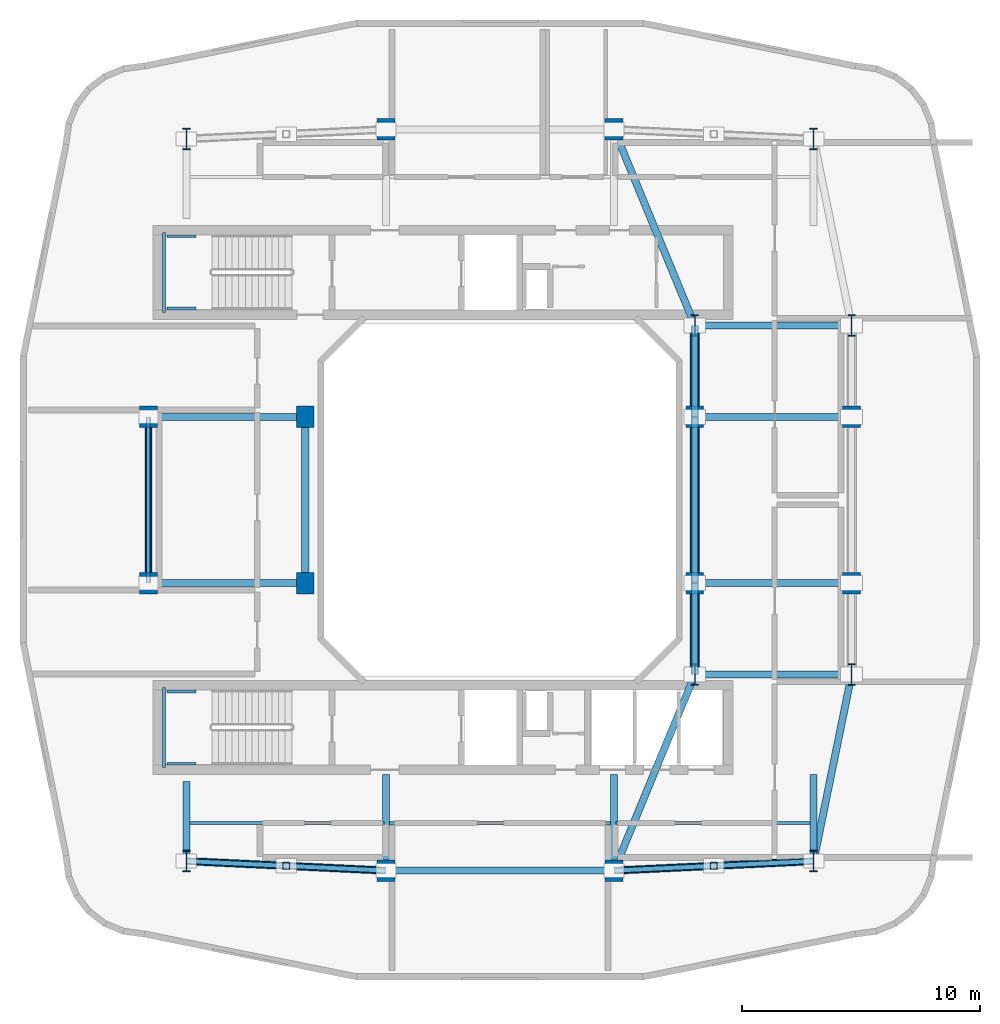
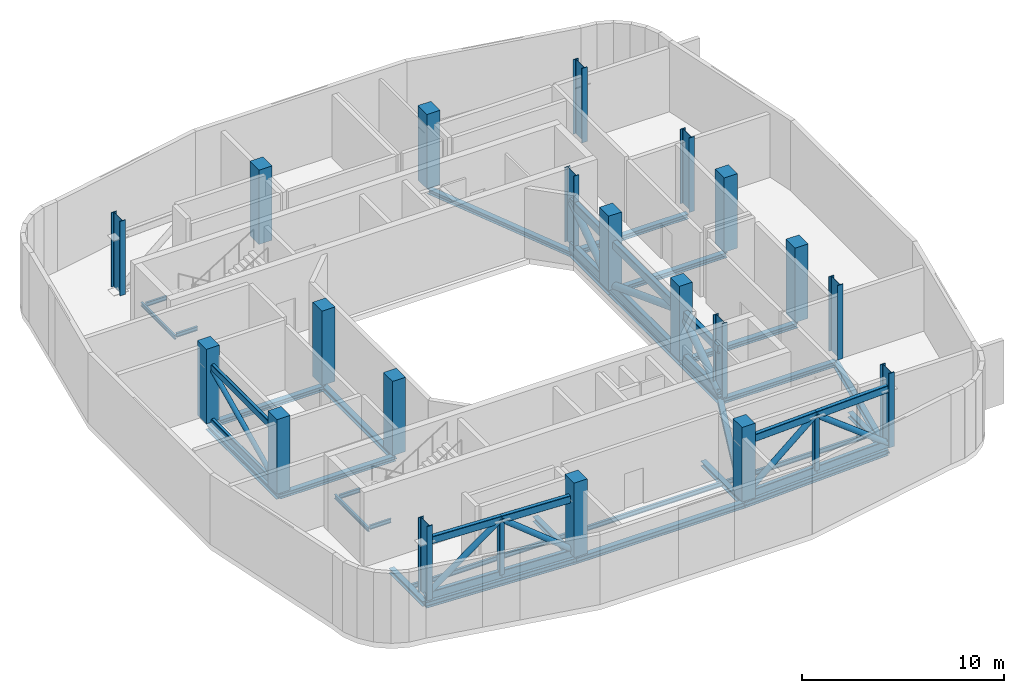
# One storey, part 1 of 9: 30 beams, 26 members, 20 columns.
"""IFC4 building model written with IfcOpenShell, lengths in metres."""

from ifc_helpers import new_model, si_unit, derived_unit, direction, frame, origin, origin_2d, place, context, subcontext, project, spatial, rectangle, hollow_rectangle, hollow_circle, i_section, extrude, material, material_profile, profile_set, type_object, element, save


model = new_model("IFC4")

# Units and contexts
model_context = context("Model", 3, precision=1e-05, world=origin(), true_north=direction((0.0, 1.0)))
body_context = subcontext(model_context, "Body", "Model", "MODEL_VIEW")
ifc_project = project(units=[si_unit("LENGTHUNIT", "METRE"), si_unit("AREAUNIT", "SQUARE_METRE"), si_unit("VOLUMEUNIT", "CUBIC_METRE"), si_unit("PLANEANGLEUNIT", "RADIAN"), si_unit("MASSUNIT", "GRAM", prefix="KILO"), derived_unit("THERMALTRANSMITTANCEUNIT", [(si_unit("POWERUNIT", "WATT"), 1), (si_unit("LENGTHUNIT", "METRE"), -2), (si_unit("THERMODYNAMICTEMPERATUREUNIT", "KELVIN"), -1)])], contexts=[model_context])

# Site, building, storey
site_placement = place(None, origin())
site = spatial("IfcSite", under=ifc_project, at=site_placement, CompositionType="ELEMENT")
building_placement = place(site_placement, origin())
building = spatial("IfcBuilding", under=site, at=building_placement, Name="Kivonza Crest Hotel", CompositionType="ELEMENT")
storey_placement = place(building_placement, frame((0.0, 0.0, 173.0)))
storey = spatial("IfcBuildingStorey", under=building, at=storey_placement, Name="L47", CompositionType="ELEMENT", Elevation=173.0)

# Columns
ifc_material_1 = material(Name="Concrete C50/60", Category="concrete")
ifc_material_profile_1 = material_profile(ifc_material_1, rectangle(XDim=0.75, YDim=0.89990234375, at=origin_2d()), Name="RC 900x750")
ifc_profile_set_1 = profile_set([ifc_material_profile_1], Name="Concrete C50/60")
column_type_1 = type_object("IfcColumnType", Name="CL-RC-900x750", PredefinedType="COLUMN", material=ifc_profile_set_1)
for number, where, z_axis, x_axis, name in (
    (1, (16.199951171875, 9.39990234375, 0.0), (0.0, 0.0, 1.0), (1.0, 0.0, 0.0), "Tower T1 L47 column S1"),
    (2, (25.800048828125, 9.39990234375, 0.0), (0.0, 0.0, 1.0), (1.0, 0.0, 0.0), "Tower T1 L47 column S2"),
    (3, (16.199951171875, 40.60009765625, 0.0), (0.0, 0.0, 1.0), (1.0, 0.0, 0.0), "Tower T1 L47 column N1"),
    (4, (25.800048828125, 40.60009765625, 0.0), (0.0, 0.0, 1.0), (1.0, 0.0, 0.0), "Tower T1 L47 column N2"),
    (5, (6.199951171875, 21.5, 0.0), (0.0, 0.0, 1.0), (1.0, 0.0, 0.0), "Tower T1 L47 column W1"),
    (6, (6.199951171875, 28.5, 0.0), (0.0, 0.0, 1.0), (1.0, 0.0, 0.0), "Tower T1 L47 column W2"),
    (7, (35.800048828125, 21.5, 0.0), (0.0, 0.0, 1.0), (1.0, 0.0, 0.0), "Tower T1 L47 column E1"),
    (8, (35.800048828125, 28.5, 0.0), (0.0, 0.0, 1.0), (1.0, 0.0, 0.0), "Tower T1 L47 column E2"),
    (9, (12.800048828125, 21.5, 0.0), (0.0, 0.0, 1.0), (1.0, 0.0, 0.0), "Tower T1 L47 column WL1"),
    (10, (12.800048828125, 28.5, 0.0), (0.0, 0.0, 1.0), (1.0, 0.0, 0.0), "Tower T1 L47 column WL2"),
    (11, (29.199951171875, 21.5, 0.0), (0.0, 0.0, 1.0), (1.0, 0.0, 0.0), "Tower T1 L47 column WR1"),
    (12, (29.199951171875, 28.5, 0.0), (0.0, 0.0, 1.0), (1.0, 0.0, 0.0), "Tower T1 L47 column WR2"),
):
    element("IfcColumn", number, at=place(storey_placement, frame(where, z_axis=z_axis, x_axis=x_axis)), inside=storey, type_object=column_type_1, Name=name, PredefinedType="COLUMN", context=body_context, shape_type="SweptSolid", body=[
        extrude(rectangle(XDim=0.75, YDim=0.89990234375, at=origin_2d()), origin(), (0.0, 0.0, 1.0), 4.5),
    ])
ifc_material_2 = material(Name="Steel S355", Category="steel")
ifc_material_profile_2 = material_profile(ifc_material_2, i_section(OverallWidth=0.302001953125, OverallDepth=0.909912109375, WebThickness=0.02099609375, FlangeThickness=0.0400390625, FilletRadius=0.030029296875, at=origin_2d()), Name="HEM 900")
ifc_profile_set_2 = profile_set([ifc_material_profile_2], Name="Steel S355")
column_type_2 = type_object("IfcColumnType", Name="CL-ST-HEM900", PredefinedType="COLUMN", material=ifc_profile_set_2)
for number, where, z_axis, x_axis, name in (
    (13, (7.800048828125, 9.800048828125, 0.0), (0.0, 0.0, 1.0), (1.0, 0.0, 0.0), "Tower T1 L47 column SW"),
    (14, (34.199951171875, 9.800048828125, 0.0), (0.0, 0.0, 1.0), (1.0, 0.0, 0.0), "Tower T1 L47 column SE"),
    (15, (34.199951171875, 40.199951171875, 0.0), (0.0, 0.0, 1.0), (1.0, 0.0, 0.0), "Tower T1 L47 column NE"),
    (16, (7.800048828125, 40.199951171875, 0.0), (0.0, 0.0, 1.0), (1.0, 0.0, 0.0), "Tower T1 L47 column NW"),
    (17, (35.800048828125, 17.64990234375, 0.0), (0.0, 0.0, 1.0), (1.0, 0.0, 0.0), "Tower T1 L47 column PSE"),
    (18, (35.800048828125, 32.35009765625, 0.0), (0.0, 0.0, 1.0), (1.0, 0.0, 0.0), "Tower T1 L47 column PNE"),
    (19, (29.199951171875, 17.64990234375, 0.0), (0.0, 0.0, 1.0), (1.0, 0.0, 0.0), "Tower T1 L47 column TSE"),
    (20, (29.199951171875, 32.35009765625, 0.0), (0.0, 0.0, 1.0), (1.0, 0.0, 0.0), "Tower T1 L47 column TNE"),
):
    element("IfcColumn", number, at=place(storey_placement, frame(where, z_axis=z_axis, x_axis=x_axis)), inside=storey, type_object=column_type_2, Name=name, PredefinedType="COLUMN", context=body_context, shape_type="SweptSolid", body=[
        extrude(i_section(OverallWidth=0.302001953125, OverallDepth=0.909912109375, WebThickness=0.02099609375, FlangeThickness=0.0400390625, FilletRadius=0.030029296875, at=origin_2d()), origin(), (0.0, 0.0, 1.0), 4.5),
    ])

# Beams
ifc_material_profile_3 = material_profile(ifc_material_2, i_section(OverallWidth=0.300048828125, OverallDepth=0.300048828125, WebThickness=0.010986328125, FlangeThickness=0.01904296875, FilletRadius=0.027099609375, at=origin_2d()), Name="HEB 300")
ifc_profile_set_3 = profile_set([ifc_material_profile_3], Name="Steel S355")
beam_type_1 = type_object("IfcBeamType", Name="BM-HEB300", PredefinedType="BEAM", material=ifc_profile_set_3)
for number, where, z_axis, x_axis, name in (
    (21, (6.199951171875, 21.5, -0.469970703125), (1.0, 0.0, 0.0), (0.0, 1.0, 0.0), "Tower T1 L47 primary girder W1-WL1"),
    (22, (6.199951171875, 28.5, -0.469970703125), (1.0, 0.0, 0.0), (0.0, 1.0, 0.0), "Tower T1 L47 primary girder W2-WL2"),
):
    element("IfcBeam", number, at=place(storey_placement, frame(where, z_axis=z_axis, x_axis=x_axis)), inside=storey, type_object=beam_type_1, Name=name, PredefinedType="BEAM", context=body_context, shape_type="SweptSolid", body=[
        extrude(i_section(OverallWidth=0.300048828125, OverallDepth=0.300048828125, WebThickness=0.010986328125, FlangeThickness=0.01904296875, FilletRadius=0.027099609375, at=origin_2d()), origin(), (0.0, 0.0, 1.0), 6.60009765625),
    ])
beam_1_placement = place(storey_placement, frame((12.800048828125, 21.5, -0.469970703125), z_axis=(0.0, 1.0, 0.0), x_axis=(-1.0, 0.0, 0.0)))
element("IfcBeam", 23, at=beam_1_placement, inside=storey, type_object=beam_type_1, Name="Tower T1 L47 primary girder WL1-WL2", PredefinedType="BEAM", context=body_context, shape_type="SweptSolid", body=[
    extrude(i_section(OverallWidth=0.300048828125, OverallDepth=0.300048828125, WebThickness=0.010986328125, FlangeThickness=0.01904296875, FilletRadius=0.027099609375, at=origin_2d()), origin(), (0.0, 0.0, 1.0), 7.0),
])
for number, where, z_axis, x_axis, name in (
    (24, (25.800048828125, 9.39990234375, -0.469970703125), (0.381022260404, 0.924565864109, 0.0), (-0.924565864109, 0.381022260404, 0.0), "Tower T1 L47 primary girder S1-TSE"),
    (25, (25.800048828125, 40.60009765625, -0.469970703125), (0.381022260404, -0.924565864109, 0.0), (0.924565864109, 0.381022260404, 0.0), "Tower T1 L47 primary girder N1-TNE"),
):
    element("IfcBeam", number, at=place(storey_placement, frame(where, z_axis=z_axis, x_axis=x_axis)), inside=storey, type_object=beam_type_1, Name=name, PredefinedType="BEAM", context=body_context, shape_type="SweptSolid", body=[
        extrude(i_section(OverallWidth=0.300048828125, OverallDepth=0.300048828125, WebThickness=0.010986328125, FlangeThickness=0.01904296875, FilletRadius=0.027099609375, at=origin_2d()), origin(), (0.0, 0.0, 1.0), 8.923095703125),
    ])
for number, where, z_axis, x_axis, name in (
    (26, (29.199951171875, 17.64990234375, -0.469970703125), (1.0, 0.0, 0.0), (0.0, 1.0, 0.0), "Tower T1 L47 primary girder TSE-PSE"),
    (27, (29.199951171875, 32.35009765625, -0.469970703125), (1.0, 0.0, 0.0), (0.0, 1.0, 0.0), "Tower T1 L47 primary girder TNE-PNE"),
):
    element("IfcBeam", number, at=place(storey_placement, frame(where, z_axis=z_axis, x_axis=x_axis)), inside=storey, type_object=beam_type_1, Name=name, PredefinedType="BEAM", context=body_context, shape_type="SweptSolid", body=[
        extrude(i_section(OverallWidth=0.300048828125, OverallDepth=0.300048828125, WebThickness=0.010986328125, FlangeThickness=0.01904296875, FilletRadius=0.027099609375, at=origin_2d()), origin(), (0.0, 0.0, 1.0), 6.60009765625),
    ])
beam_2_placement = place(storey_placement, frame((29.199951171875, 21.5, -0.469970703125), z_axis=(0.0, 1.0, 0.0), x_axis=(-1.0, 0.0, 0.0)))
element("IfcBeam", 28, at=beam_2_placement, inside=storey, type_object=beam_type_1, Name="Tower T1 L47 primary girder WR1-WR2", PredefinedType="BEAM", context=body_context, shape_type="SweptSolid", body=[
    extrude(i_section(OverallWidth=0.300048828125, OverallDepth=0.300048828125, WebThickness=0.010986328125, FlangeThickness=0.01904296875, FilletRadius=0.027099609375, at=origin_2d()), origin(), (0.0, 0.0, 1.0), 7.0),
])
for number, where, z_axis, x_axis, name in (
    (29, (29.199951171875, 17.64990234375, -0.469970703125), (0.0, 1.0, 0.0), (-1.0, 0.0, 0.0), "Tower T1 L47 primary girder TSE-WR1"),
    (30, (29.199951171875, 28.5, -0.469970703125), (0.0, 1.0, 0.0), (-1.0, 0.0, 0.0), "Tower T1 L47 primary girder WR2-TNE"),
):
    element("IfcBeam", number, at=place(storey_placement, frame(where, z_axis=z_axis, x_axis=x_axis)), inside=storey, type_object=beam_type_1, Name=name, PredefinedType="BEAM", context=body_context, shape_type="SweptSolid", body=[
        extrude(i_section(OverallWidth=0.300048828125, OverallDepth=0.300048828125, WebThickness=0.010986328125, FlangeThickness=0.01904296875, FilletRadius=0.027099609375, at=origin_2d()), origin(), (0.0, 0.0, 1.0), 3.85009765625),
    ])
for number, where, z_axis, x_axis, name in (
    (31, (29.199951171875, 21.5, -0.469970703125), (1.0, 0.0, 0.0), (0.0, 1.0, 0.0), "Tower T1 L47 primary girder WR1-E1"),
    (32, (29.199951171875, 28.5, -0.469970703125), (1.0, 0.0, 0.0), (0.0, 1.0, 0.0), "Tower T1 L47 primary girder WR2-E2"),
):
    element("IfcBeam", number, at=place(storey_placement, frame(where, z_axis=z_axis, x_axis=x_axis)), inside=storey, type_object=beam_type_1, Name=name, PredefinedType="BEAM", context=body_context, shape_type="SweptSolid", body=[
        extrude(i_section(OverallWidth=0.300048828125, OverallDepth=0.300048828125, WebThickness=0.010986328125, FlangeThickness=0.01904296875, FilletRadius=0.027099609375, at=origin_2d()), origin(), (0.0, 0.0, 1.0), 6.60009765625),
    ])
beam_3_placement = place(storey_placement, frame((7.800048828125, 9.800048828125, -0.469970703125), z_axis=(0.0, 1.0, 0.0), x_axis=(-1.0, 0.0, 0.0)))
element("IfcBeam", 33, at=beam_3_placement, inside=storey, type_object=beam_type_1, Name="Tower T1 L47 radial core girder RSW", PredefinedType="BEAM", context=body_context, shape_type="SweptSolid", body=[
    extrude(i_section(OverallWidth=0.300048828125, OverallDepth=0.300048828125, WebThickness=0.010986328125, FlangeThickness=0.01904296875, FilletRadius=0.027099609375, at=origin_2d()), origin(), (0.0, 0.0, 1.0), 3.349853515625),
])
for number, where, z_axis, x_axis, name in (
    (34, (16.199951171875, 9.39990234375, -0.469970703125), (0.0, 1.0, 0.0), (-1.0, 0.0, 0.0), "Tower T1 L47 radial core girder RS1"),
    (35, (25.800048828125, 9.39990234375, -0.469970703125), (0.0, 1.0, 0.0), (-1.0, 0.0, 0.0), "Tower T1 L47 radial core girder RS2"),
):
    element("IfcBeam", number, at=place(storey_placement, frame(where, z_axis=z_axis, x_axis=x_axis)), inside=storey, type_object=beam_type_1, Name=name, PredefinedType="BEAM", context=body_context, shape_type="SweptSolid", body=[
        extrude(i_section(OverallWidth=0.300048828125, OverallDepth=0.300048828125, WebThickness=0.010986328125, FlangeThickness=0.01904296875, FilletRadius=0.027099609375, at=origin_2d()), origin(), (0.0, 0.0, 1.0), 4.050048828125),
    ])
beam_4_placement = place(storey_placement, frame((34.199951171875, 9.800048828125, -0.469970703125), z_axis=(0.0, 1.0, 0.0), x_axis=(-1.0, 0.0, 0.0)))
element("IfcBeam", 36, at=beam_4_placement, inside=storey, type_object=beam_type_1, Name="Tower T1 L47 radial core girder RSE", PredefinedType="BEAM", context=body_context, shape_type="SweptSolid", body=[
    extrude(i_section(OverallWidth=0.300048828125, OverallDepth=0.300048828125, WebThickness=0.010986328125, FlangeThickness=0.01904296875, FilletRadius=0.027099609375, at=origin_2d()), origin(), (0.0, 0.0, 1.0), 3.64990234375),
])
ifc_material_profile_4 = material_profile(ifc_material_2, i_section(OverallWidth=0.300048828125, OverallDepth=0.360107421875, WebThickness=0.012451171875, FlangeThickness=0.0224609375, FilletRadius=0.027099609375, at=origin_2d()), Name="HEB 360")
ifc_profile_set_4 = profile_set([ifc_material_profile_4], Name="Steel S355")
beam_type_2 = type_object("IfcBeamType", Name="BM-HEB360", PredefinedType="SPANDREL", material=ifc_profile_set_4)
beam_5_placement = place(storey_placement, frame((16.199951171875, 9.39990234375, -0.5), z_axis=(1.0, 0.0, 0.0), x_axis=(0.0, 1.0, 0.0)))
element("IfcBeam", 37, at=beam_5_placement, inside=storey, type_object=beam_type_2, Name="Tower T1 L47 perimeter spandrel S1-S2", PredefinedType="SPANDREL", context=body_context, shape_type="SweptSolid", body=[
    extrude(i_section(OverallWidth=0.300048828125, OverallDepth=0.360107421875, WebThickness=0.012451171875, FlangeThickness=0.0224609375, FilletRadius=0.027099609375, at=origin_2d()), origin(), (0.0, 0.0, 1.0), 9.60009765625),
])
beam_6_placement = place(storey_placement, frame((25.800048828125, 9.39990234375, -0.5), z_axis=(0.998867283688, 0.047583080799, 0.0), x_axis=(-0.047583080799, 0.998867283688, 0.0)))
element("IfcBeam", 38, at=beam_6_placement, inside=storey, type_object=beam_type_2, Name="Tower T1 L47 perimeter spandrel S2-SE", PredefinedType="SPANDREL", context=body_context, shape_type="SweptSolid", body=[
    extrude(i_section(OverallWidth=0.300048828125, OverallDepth=0.360107421875, WebThickness=0.012451171875, FlangeThickness=0.0224609375, FilletRadius=0.027099609375, at=origin_2d()), origin(), (0.0, 0.0, 1.0), 8.409423828125),
])
beam_7_placement = place(storey_placement, frame((34.199951171875, 9.800048828125, -0.5), z_axis=(0.199730733965, 0.979850822273, 0.0), x_axis=(-0.979850822273, 0.199730733965, 0.0)))
element("IfcBeam", 39, at=beam_7_placement, inside=storey, type_object=beam_type_2, Name="Tower T1 L47 perimeter spandrel SE-PSE", PredefinedType="SPANDREL", context=body_context, shape_type="SweptSolid", body=[
    extrude(i_section(OverallWidth=0.300048828125, OverallDepth=0.360107421875, WebThickness=0.012451171875, FlangeThickness=0.0224609375, FilletRadius=0.027099609375, at=origin_2d()), origin(), (0.0, 0.0, 1.0), 8.01123046875),
])
beam_8_placement = place(storey_placement, frame((6.199951171875, 28.5, -0.5), z_axis=(0.0, -1.0, 0.0), x_axis=(1.0, 0.0, 0.0)))
element("IfcBeam", 40, at=beam_8_placement, inside=storey, type_object=beam_type_2, Name="Tower T1 L47 perimeter spandrel W2-W1", PredefinedType="SPANDREL", context=body_context, shape_type="SweptSolid", body=[
    extrude(i_section(OverallWidth=0.300048828125, OverallDepth=0.360107421875, WebThickness=0.012451171875, FlangeThickness=0.0224609375, FilletRadius=0.027099609375, at=origin_2d()), origin(), (0.0, 0.0, 1.0), 7.0),
])
beam_9_placement = place(storey_placement, frame((7.800048828125, 9.800048828125, -0.5), z_axis=(0.998867283688, -0.047583080799, 0.0), x_axis=(0.047583080799, 0.998867283688, 0.0)))
element("IfcBeam", 41, at=beam_9_placement, inside=storey, type_object=beam_type_2, Name="Tower T1 L47 perimeter spandrel SW-S1", PredefinedType="SPANDREL", context=body_context, shape_type="SweptSolid", body=[
    extrude(i_section(OverallWidth=0.300048828125, OverallDepth=0.360107421875, WebThickness=0.012451171875, FlangeThickness=0.0224609375, FilletRadius=0.027099609375, at=origin_2d()), origin(), (0.0, 0.0, 1.0), 8.409423828125),
])
ifc_material_profile_5 = material_profile(ifc_material_2, i_section(OverallWidth=0.135009765625, OverallDepth=0.27001953125, WebThickness=0.006591796875, FlangeThickness=0.01025390625, FilletRadius=0.014892578125, at=origin_2d()), Name="IPE 270")
ifc_profile_set_5 = profile_set([ifc_material_profile_5], Name="Steel S355")
beam_type_3 = type_object("IfcBeamType", Name="BM-IPE270", PredefinedType="JOIST", material=ifc_profile_set_5)
beam_10_placement = place(storey_placement, frame((7.8798828125, 11.39990234375, -0.455078125), z_axis=(1.0, 0.0, 0.0), x_axis=(0.0, 1.0, 0.0)))
element("IfcBeam", 42, at=beam_10_placement, inside=storey, type_object=beam_type_3, Name="Tower T1 L47 South-West floor joist", PredefinedType="JOIST", context=body_context, shape_type="SweptSolid", body=[
    extrude(i_section(OverallWidth=0.135009765625, OverallDepth=0.27001953125, WebThickness=0.006591796875, FlangeThickness=0.01025390625, FilletRadius=0.014892578125, at=origin_2d()), origin(), (0.0, 0.0, 1.0), 8.240234375),
])
beam_11_placement = place(storey_placement, frame((16.280029296875, 11.39990234375, -0.455078125), z_axis=(1.0, 0.0, 0.0), x_axis=(0.0, 1.0, 0.0)))
element("IfcBeam", 43, at=beam_11_placement, inside=storey, type_object=beam_type_3, Name="Tower T1 L47 South-Mid floor joist", PredefinedType="JOIST", context=body_context, shape_type="SweptSolid", body=[
    extrude(i_section(OverallWidth=0.135009765625, OverallDepth=0.27001953125, WebThickness=0.006591796875, FlangeThickness=0.01025390625, FilletRadius=0.014892578125, at=origin_2d()), origin(), (0.0, 0.0, 1.0), 9.43994140625),
])
beam_12_placement = place(storey_placement, frame((25.8798828125, 11.39990234375, -0.455078125), z_axis=(1.0, 0.0, 0.0), x_axis=(0.0, 1.0, 0.0)))
element("IfcBeam", 44, at=beam_12_placement, inside=storey, type_object=beam_type_3, Name="Tower T1 L47 South-East floor joist", PredefinedType="JOIST", context=body_context, shape_type="SweptSolid", body=[
    extrude(i_section(OverallWidth=0.135009765625, OverallDepth=0.27001953125, WebThickness=0.006591796875, FlangeThickness=0.01025390625, FilletRadius=0.014892578125, at=origin_2d()), origin(), (0.0, 0.0, 1.0), 8.240234375),
])
ifc_material_profile_6 = material_profile(ifc_material_2, i_section(OverallWidth=0.1201171875, OverallDepth=0.239990234375, WebThickness=0.006103515625, FlangeThickness=0.009765625, FilletRadius=0.014892578125, at=origin_2d()), Name="IPE 240")
ifc_profile_set_6 = profile_set([ifc_material_profile_6], Name="Steel S355")
beam_type_4 = type_object("IfcBeamType", Name="BM-LLDG-240", PredefinedType="BEAM", material=ifc_profile_set_6)
beam_13_placement = place(storey_placement, frame((6.860107421875, 32.89990234375, 1.929931640625), z_axis=(0.0, 1.0, 0.0), x_axis=(-1.0, 0.0, 0.0)))
element("IfcBeam", 45, at=beam_13_placement, inside=storey, type_object=beam_type_4, Name="Stair ST-T1-N L47 West landing corbel", PredefinedType="BEAM", context=body_context, shape_type="SweptSolid", body=[
    extrude(i_section(OverallWidth=0.1201171875, OverallDepth=0.239990234375, WebThickness=0.006103515625, FlangeThickness=0.009765625, FilletRadius=0.014892578125, at=origin_2d()), origin(), (0.0, 0.0, 1.0), 3.360107421875),
])
for number, where, z_axis, x_axis, name in (
    (46, (6.989990234375, 33.06005859375, 1.929931640625), (1.0, 0.0, 0.0), (0.0, 1.0, 0.0), "Stair ST-T1-N L47 South landing corbel"),
    (47, (6.989990234375, 36.10009765625, 1.929931640625), (1.0, 0.0, 0.0), (0.0, 1.0, 0.0), "Stair ST-T1-N L47 North landing corbel"),
):
    element("IfcBeam", number, at=place(storey_placement, frame(where, z_axis=z_axis, x_axis=x_axis)), inside=storey, type_object=beam_type_4, Name=name, PredefinedType="BEAM", context=body_context, shape_type="SweptSolid", body=[
        extrude(i_section(OverallWidth=0.1201171875, OverallDepth=0.239990234375, WebThickness=0.006103515625, FlangeThickness=0.009765625, FilletRadius=0.014892578125, at=origin_2d()), origin(), (0.0, 0.0, 1.0), 1.2099609375),
    ])
beam_14_placement = place(storey_placement, frame((6.860107421875, 13.739990234375, 1.929931640625), z_axis=(0.0, 1.0, 0.0), x_axis=(-1.0, 0.0, 0.0)))
element("IfcBeam", 48, at=beam_14_placement, inside=storey, type_object=beam_type_4, Name="Stair ST-T1-S L47 West landing corbel", PredefinedType="BEAM", context=body_context, shape_type="SweptSolid", body=[
    extrude(i_section(OverallWidth=0.1201171875, OverallDepth=0.239990234375, WebThickness=0.006103515625, FlangeThickness=0.009765625, FilletRadius=0.014892578125, at=origin_2d()), origin(), (0.0, 0.0, 1.0), 3.360107421875),
])
for number, where, z_axis, x_axis, name in (
    (49, (6.989990234375, 13.89990234375, 1.929931640625), (1.0, 0.0, 0.0), (0.0, 1.0, 0.0), "Stair ST-T1-S L47 South landing corbel"),
    (50, (6.989990234375, 16.93994140625, 1.929931640625), (1.0, 0.0, 0.0), (0.0, 1.0, 0.0), "Stair ST-T1-S L47 North landing corbel"),
):
    element("IfcBeam", number, at=place(storey_placement, frame(where, z_axis=z_axis, x_axis=x_axis)), inside=storey, type_object=beam_type_4, Name=name, PredefinedType="BEAM", context=body_context, shape_type="SweptSolid", body=[
        extrude(i_section(OverallWidth=0.1201171875, OverallDepth=0.239990234375, WebThickness=0.006103515625, FlangeThickness=0.009765625, FilletRadius=0.014892578125, at=origin_2d()), origin(), (0.0, 0.0, 1.0), 1.2099609375),
    ])

# Members
ifc_material_profile_7 = material_profile(ifc_material_2, hollow_circle(Radius=0.136474609375, WallThickness=0.012451171875, at=origin_2d()), Name="CHS 273x12.5")
ifc_profile_set_7 = profile_set([ifc_material_profile_7], Name="Steel S355")
member_type_1 = type_object("IfcMemberType", Name="MB-BRACE-CHS273", PredefinedType="BRACE", material=ifc_profile_set_7)
member_1_placement = place(storey_placement, frame((6.199951171875, 21.5, 0.0), z_axis=(0.0, 0.90452320938, 0.426424393875), x_axis=(-1.0, 0.0, 0.0)))
element("IfcMember", 51, at=member_1_placement, inside=storey, type_object=member_type_1, Name="Belt truss L47 W diagonal brace 1", PredefinedType="BRACE", context=body_context, shape_type="SweptSolid", body=[
    extrude(hollow_circle(Radius=0.136474609375, WallThickness=0.012451171875, at=origin_2d()), origin(), (0.0, 0.0, 1.0), 7.73876953125),
])
ifc_material_profile_8 = material_profile(ifc_material_2, hollow_circle(Radius=0.161865234375, WallThickness=0.01611328125, at=origin_2d()), Name="CHS 323.9x16")
ifc_profile_set_8 = profile_set([ifc_material_profile_8], Name="Steel S355")
member_type_2 = type_object("IfcMemberType", Name="MB-BRACE-CHS324", PredefinedType="BRACE", material=ifc_profile_set_8)
for number, where, z_axis, x_axis, name in (
    (52, (16.199951171875, 9.39990234375, 0.0), (-0.785758694228, 0.037454056227, 0.617398143921), (-0.047612046782, -0.998865903413, 0.0), "Outrigger truss L47 SW diagonal brace 1"),
    (53, (12.0, 9.60009765625, 3.300048828125), (-0.78576003764, 0.037408444505, -0.617399199487), (-0.047554114695, -0.998868663126, 0.0), "Outrigger truss L47 SW diagonal brace 2"),
    (54, (25.800048828125, 9.39990234375, 0.0), (0.785758694228, 0.037454056227, 0.617398143921), (-0.047612046782, 0.998865903413, 0.0), "Outrigger truss L47 SE diagonal brace 1"),
    (55, (30.0, 9.60009765625, 3.300048828125), (0.78576003764, 0.037408444505, -0.617399199487), (-0.047554114695, 0.998868663126, 0.0), "Outrigger truss L47 SE diagonal brace 2"),
):
    element("IfcMember", number, at=place(storey_placement, frame(where, z_axis=z_axis, x_axis=x_axis)), inside=storey, type_object=member_type_2, Name=name, PredefinedType="BRACE", context=body_context, shape_type="SweptSolid", body=[
        extrude(hollow_circle(Radius=0.161865234375, WallThickness=0.01611328125, at=origin_2d()), origin(), (0.0, 0.0, 1.0), 5.344970703125),
    ])
ifc_material_profile_9 = material_profile(ifc_material_2, hollow_circle(Radius=0.203125, WallThickness=0.02001953125, at=origin_2d()), Name="CHS 406.4x20")
ifc_profile_set_9 = profile_set([ifc_material_profile_9], Name="Steel S355")
member_type_3 = type_object("IfcMemberType", Name="MB-BRACE-CHS406", PredefinedType="BRACE", material=ifc_profile_set_9)
member_2_placement = place(storey_placement, frame((29.199951171875, 17.64990234375, 0.0), z_axis=(0.0, 0.823746136864, 0.566958818612), x_axis=(-1.0, 0.0, 0.0)))
element("IfcMember", 56, at=member_2_placement, inside=storey, type_object=member_type_3, Name="Transfer truss L47 portal sill WELL diagonal brace 1", PredefinedType="BRACE", context=body_context, shape_type="SweptSolid", body=[
    extrude(hollow_circle(Radius=0.203125, WallThickness=0.02001953125, at=origin_2d()), origin(), (0.0, 0.0, 1.0), 4.673828125),
])
member_3_placement = place(storey_placement, frame((29.199951171875, 21.5, 2.64990234375), z_axis=(0.0, 0.935230805355, -0.354038614723), x_axis=(-1.0, 0.0, 0.0)))
element("IfcMember", 57, at=member_3_placement, inside=storey, type_object=member_type_3, Name="Transfer truss L47 portal sill WELL diagonal brace 2", PredefinedType="BRACE", context=body_context, shape_type="SweptSolid", body=[
    extrude(hollow_circle(Radius=0.203125, WallThickness=0.02001953125, at=origin_2d()), origin(), (0.0, 0.0, 1.0), 7.48486328125),
])
member_4_placement = place(storey_placement, frame((29.199951171875, 28.5, 0.0), z_axis=(0.0, 0.823746136864, 0.566958818612), x_axis=(-1.0, 0.0, 0.0)))
element("IfcMember", 58, at=member_4_placement, inside=storey, type_object=member_type_3, Name="Transfer truss L47 portal sill WELL diagonal brace 3", PredefinedType="BRACE", context=body_context, shape_type="SweptSolid", body=[
    extrude(hollow_circle(Radius=0.203125, WallThickness=0.02001953125, at=origin_2d()), origin(), (0.0, 0.0, 1.0), 4.673828125),
])
ifc_material_profile_10 = material_profile(ifc_material_2, hollow_rectangle(XDim=0.199951171875, YDim=0.39990234375, WallThickness=0.01611328125, InnerFilletRadius=0.02392578125, OuterFilletRadius=0.0400390625, at=origin_2d()), Name="RHS 400x200x16")
ifc_profile_set_10 = profile_set([ifc_material_profile_10], Name="Steel S355")
member_type_4 = type_object("IfcMemberType", Name="MB-CHORD-RHS400", PredefinedType="CHORD", material=ifc_profile_set_10)
for number, where, z_axis, x_axis, name in (
    (59, (6.199951171875, 21.5, 0.0), (0.0, 1.0, 0.0), (-1.0, 0.0, 0.0), "Belt truss L47 W bottom chord 1"),
    (60, (6.199951171875, 21.5, 3.300048828125), (0.0, 1.0, 0.0), (-1.0, 0.0, 0.0), "Belt truss L47 W top chord 1"),
):
    element("IfcMember", number, at=place(storey_placement, frame(where, z_axis=z_axis, x_axis=x_axis)), inside=storey, type_object=member_type_4, Name=name, PredefinedType="CHORD", context=body_context, shape_type="SweptSolid", body=[
        extrude(hollow_rectangle(XDim=0.199951171875, YDim=0.39990234375, WallThickness=0.01611328125, InnerFilletRadius=0.02392578125, OuterFilletRadius=0.0400390625, at=origin_2d()), origin(), (0.0, 0.0, 1.0), 7.0),
    ])
ifc_material_profile_11 = material_profile(ifc_material_2, hollow_rectangle(XDim=0.25, YDim=0.449951171875, WallThickness=0.01611328125, InnerFilletRadius=0.02392578125, OuterFilletRadius=0.0400390625, at=origin_2d()), Name="RHS 450x250x16")
ifc_profile_set_11 = profile_set([ifc_material_profile_11], Name="Steel S355")
member_type_5 = type_object("IfcMemberType", Name="MB-CHORD-RHS450", PredefinedType="CHORD", material=ifc_profile_set_11)
for number, where, z_axis, x_axis, name in (
    (61, (16.199951171875, 9.39990234375, 0.0), (-0.998865903413, 0.047612046782, 0.0), (-0.047612046782, -0.998865903413, 0.0), "Outrigger truss L47 SW bottom chord 1"),
    (62, (16.199951171875, 9.39990234375, 3.300048828125), (-0.998865903413, 0.047612046782, 0.0), (-0.047612046782, -0.998865903413, 0.0), "Outrigger truss L47 SW top chord 1"),
):
    element("IfcMember", number, at=place(storey_placement, frame(where, z_axis=z_axis, x_axis=x_axis)), inside=storey, type_object=member_type_5, Name=name, PredefinedType="CHORD", context=body_context, shape_type="SweptSolid", body=[
        extrude(hollow_rectangle(XDim=0.25, YDim=0.449951171875, WallThickness=0.01611328125, InnerFilletRadius=0.02392578125, OuterFilletRadius=0.0400390625, at=origin_2d()), origin(), (0.0, 0.0, 1.0), 4.204833984375),
    ])
for number, where, z_axis, x_axis, name in (
    (63, (12.0, 9.60009765625, 0.0), (-0.998868663126, 0.047554114695, 0.0), (-0.047554114695, -0.998868663126, 0.0), "Outrigger truss L47 SW bottom chord 2"),
    (64, (12.0, 9.60009765625, 3.300048828125), (-0.998868663126, 0.047554114695, 0.0), (-0.047554114695, -0.998868663126, 0.0), "Outrigger truss L47 SW top chord 2"),
):
    element("IfcMember", number, at=place(storey_placement, frame(where, z_axis=z_axis, x_axis=x_axis)), inside=storey, type_object=member_type_5, Name=name, PredefinedType="CHORD", context=body_context, shape_type="SweptSolid", body=[
        extrude(hollow_rectangle(XDim=0.25, YDim=0.449951171875, WallThickness=0.01611328125, InnerFilletRadius=0.02392578125, OuterFilletRadius=0.0400390625, at=origin_2d()), origin(), (0.0, 0.0, 1.0), 4.20458984375),
    ])
for number, where, z_axis, x_axis, name in (
    (65, (25.800048828125, 9.39990234375, 0.0), (0.998865903413, 0.047612046782, 0.0), (-0.047612046782, 0.998865903413, 0.0), "Outrigger truss L47 SE bottom chord 1"),
    (66, (25.800048828125, 9.39990234375, 3.300048828125), (0.998865903413, 0.047612046782, 0.0), (-0.047612046782, 0.998865903413, 0.0), "Outrigger truss L47 SE top chord 1"),
):
    element("IfcMember", number, at=place(storey_placement, frame(where, z_axis=z_axis, x_axis=x_axis)), inside=storey, type_object=member_type_5, Name=name, PredefinedType="CHORD", context=body_context, shape_type="SweptSolid", body=[
        extrude(hollow_rectangle(XDim=0.25, YDim=0.449951171875, WallThickness=0.01611328125, InnerFilletRadius=0.02392578125, OuterFilletRadius=0.0400390625, at=origin_2d()), origin(), (0.0, 0.0, 1.0), 4.204833984375),
    ])
for number, where, z_axis, x_axis, name in (
    (67, (30.0, 9.60009765625, 0.0), (0.998868663126, 0.047554114695, 0.0), (-0.047554114695, 0.998868663126, 0.0), "Outrigger truss L47 SE bottom chord 2"),
    (68, (30.0, 9.60009765625, 3.300048828125), (0.998868663126, 0.047554114695, 0.0), (-0.047554114695, 0.998868663126, 0.0), "Outrigger truss L47 SE top chord 2"),
):
    element("IfcMember", number, at=place(storey_placement, frame(where, z_axis=z_axis, x_axis=x_axis)), inside=storey, type_object=member_type_5, Name=name, PredefinedType="CHORD", context=body_context, shape_type="SweptSolid", body=[
        extrude(hollow_rectangle(XDim=0.25, YDim=0.449951171875, WallThickness=0.01611328125, InnerFilletRadius=0.02392578125, OuterFilletRadius=0.0400390625, at=origin_2d()), origin(), (0.0, 0.0, 1.0), 4.20458984375),
    ])
ifc_material_profile_12 = material_profile(ifc_material_2, hollow_rectangle(XDim=0.300048828125, YDim=0.5, WallThickness=0.02001953125, InnerFilletRadius=0.030029296875, OuterFilletRadius=0.050048828125, at=origin_2d()), Name="RHS 500x300x20")
ifc_profile_set_12 = profile_set([ifc_material_profile_12], Name="Steel S355")
member_type_6 = type_object("IfcMemberType", Name="MB-CHORD-RHS500", PredefinedType="CHORD", material=ifc_profile_set_12)
for number, where, z_axis, x_axis, name in (
    (69, (29.199951171875, 17.64990234375, 0.0), (0.0, 1.0, 0.0), (-1.0, 0.0, 0.0), "Transfer truss L47 portal sill WELL bottom chord 1"),
    (70, (29.199951171875, 17.64990234375, 2.64990234375), (0.0, 1.0, 0.0), (-1.0, 0.0, 0.0), "Transfer truss L47 portal sill WELL top chord 1"),
):
    element("IfcMember", number, at=place(storey_placement, frame(where, z_axis=z_axis, x_axis=x_axis)), inside=storey, type_object=member_type_6, Name=name, PredefinedType="CHORD", context=body_context, shape_type="SweptSolid", body=[
        extrude(hollow_rectangle(XDim=0.300048828125, YDim=0.5, WallThickness=0.02001953125, InnerFilletRadius=0.030029296875, OuterFilletRadius=0.050048828125, at=origin_2d()), origin(), (0.0, 0.0, 1.0), 3.85009765625),
    ])
for number, where, z_axis, x_axis, name in (
    (71, (29.199951171875, 21.5, 0.0), (0.0, 1.0, 0.0), (-1.0, 0.0, 0.0), "Transfer truss L47 portal sill WELL bottom chord 2"),
    (72, (29.199951171875, 21.5, 2.64990234375), (0.0, 1.0, 0.0), (-1.0, 0.0, 0.0), "Transfer truss L47 portal sill WELL top chord 2"),
):
    element("IfcMember", number, at=place(storey_placement, frame(where, z_axis=z_axis, x_axis=x_axis)), inside=storey, type_object=member_type_6, Name=name, PredefinedType="CHORD", context=body_context, shape_type="SweptSolid", body=[
        extrude(hollow_rectangle(XDim=0.300048828125, YDim=0.5, WallThickness=0.02001953125, InnerFilletRadius=0.030029296875, OuterFilletRadius=0.050048828125, at=origin_2d()), origin(), (0.0, 0.0, 1.0), 7.0),
    ])
for number, where, z_axis, x_axis, name in (
    (73, (29.199951171875, 28.5, 0.0), (0.0, 1.0, 0.0), (-1.0, 0.0, 0.0), "Transfer truss L47 portal sill WELL bottom chord 3"),
    (74, (29.199951171875, 28.5, 2.64990234375), (0.0, 1.0, 0.0), (-1.0, 0.0, 0.0), "Transfer truss L47 portal sill WELL top chord 3"),
):
    element("IfcMember", number, at=place(storey_placement, frame(where, z_axis=z_axis, x_axis=x_axis)), inside=storey, type_object=member_type_6, Name=name, PredefinedType="CHORD", context=body_context, shape_type="SweptSolid", body=[
        extrude(hollow_rectangle(XDim=0.300048828125, YDim=0.5, WallThickness=0.02001953125, InnerFilletRadius=0.030029296875, OuterFilletRadius=0.050048828125, at=origin_2d()), origin(), (0.0, 0.0, 1.0), 3.85009765625),
    ])
ifc_material_profile_13 = material_profile(ifc_material_2, hollow_rectangle(XDim=0.300048828125, YDim=0.300048828125, WallThickness=0.01611328125, InnerFilletRadius=0.02392578125, OuterFilletRadius=0.0400390625, at=origin_2d()), Name="SHS 300x300x16")
ifc_profile_set_13 = profile_set([ifc_material_profile_13], Name="Steel S355")
member_type_7 = type_object("IfcMemberType", Name="MB-POST-SHS300", PredefinedType="POST", material=ifc_profile_set_13)
for number, where, z_axis, x_axis, name in (
    (75, (12.0, 9.60009765625, 0.0), (0.0, 0.0, 1.0), (1.0, 0.0, 0.0), "Outrigger truss L47 SW vertical post 2"),
    (76, (30.0, 9.60009765625, 0.0), (0.0, 0.0, 1.0), (1.0, 0.0, 0.0), "Outrigger truss L47 SE vertical post 2"),
):
    element("IfcMember", number, at=place(storey_placement, frame(where, z_axis=z_axis, x_axis=x_axis)), inside=storey, type_object=member_type_7, Name=name, PredefinedType="POST", context=body_context, shape_type="SweptSolid", body=[
        extrude(hollow_rectangle(XDim=0.300048828125, YDim=0.300048828125, WallThickness=0.01611328125, InnerFilletRadius=0.02392578125, OuterFilletRadius=0.0400390625, at=origin_2d()), origin(), (0.0, 0.0, 1.0), 3.300048828125),
    ])

save(model, "model.ifc")
